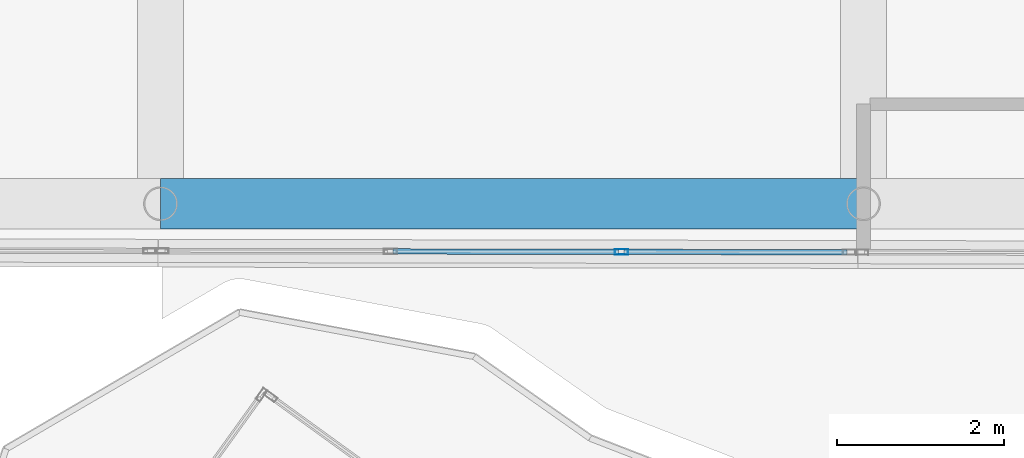
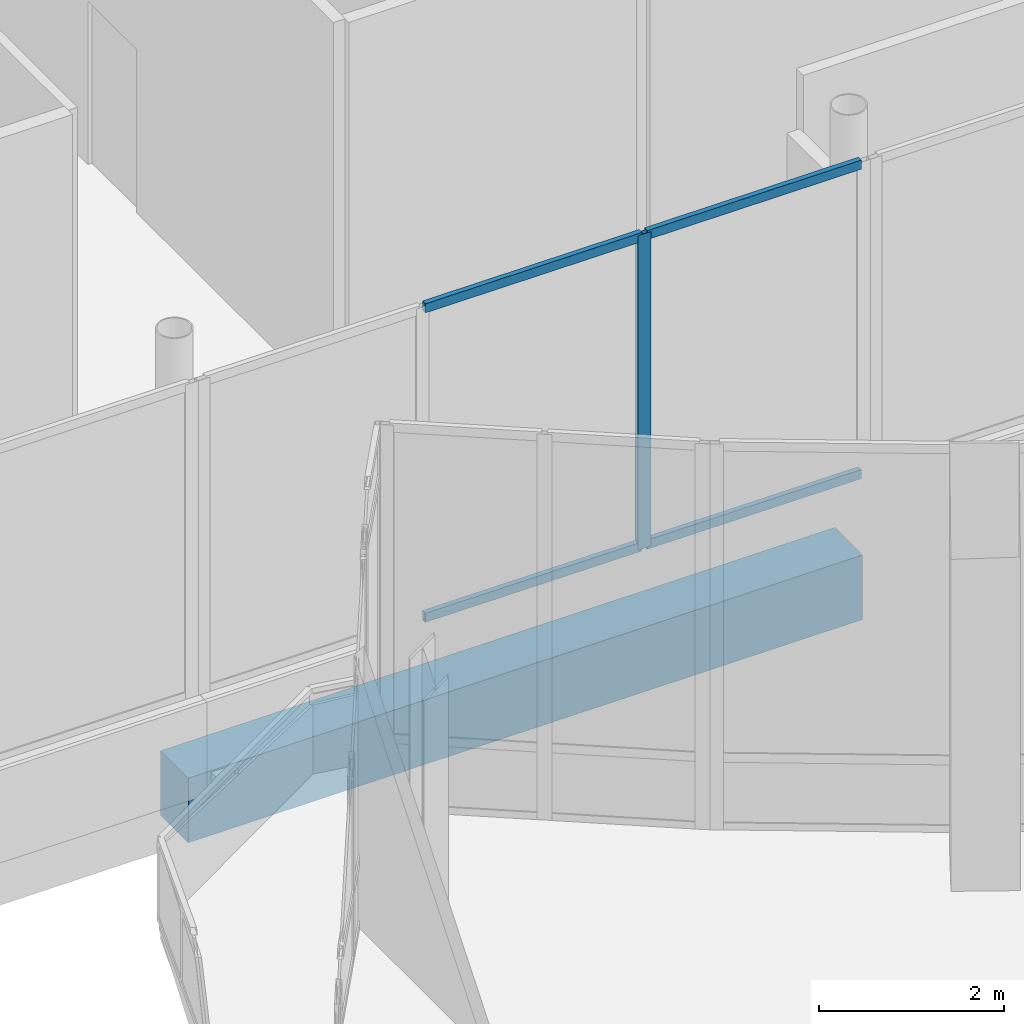
# One storey, part 32 of 158: 5 members, 1 beam, 1 element without a shape of its own.
"""IFC4 building model written with IfcOpenShell, lengths in metres."""

from ifc_helpers import new_model, si_unit, direction, frame, origin, origin_2d, place, context, subcontext, project, spatial, rectangle, hollow_rectangle, extrude, material, material_profile, profile_set, type_object, element, aggregate, save


model = new_model("IFC4")

# Units and contexts
model_context = context("Model", 3, precision=1e-05, world=origin(), true_north=direction((0.0, 1.0)))
body_context = subcontext(model_context, "Body", "Model", "MODEL_VIEW")
ifc_project = project(units=[si_unit("LENGTHUNIT", "METRE"), si_unit("AREAUNIT", "SQUARE_METRE"), si_unit("VOLUMEUNIT", "CUBIC_METRE"), si_unit("PLANEANGLEUNIT", "RADIAN"), si_unit("MASSUNIT", "GRAM", prefix="KILO")], contexts=[model_context])

# Site, building, storey
site_placement = place(None, origin())
site = spatial("IfcSite", under=ifc_project, at=site_placement, CompositionType="ELEMENT")
building_placement = place(site_placement, origin())
building = spatial("IfcBuilding", under=site, at=building_placement, Name="Selatvlak General Hospital", CompositionType="ELEMENT")
storey_placement = place(building_placement, origin())
storey = spatial("IfcBuildingStorey", under=building, at=storey_placement, Name="L00", CompositionType="ELEMENT", Elevation=0.0)

# Beam
ifc_material_1 = material(Name="Concrete C40/50", Category="concrete")
ifc_material_profile_1 = material_profile(ifc_material_1, rectangle(XDim=0.60009765625, YDim=0.85009765625, at=origin_2d()), Name="RC-BM 600x850")
ifc_profile_set_1 = profile_set([ifc_material_profile_1], Name="Concrete C40/50")
beam_type = type_object("IfcBeamType", Name="BM-G01", PredefinedType="BEAM", material=ifc_profile_set_1)
beam_placement = place(storey_placement, frame((31.199951171875, 52.550048828125, -0.77490234375), z_axis=(1.0, 0.0, 0.0), x_axis=(0.0, 1.0, 0.0)))
element("IfcBeam", 1, at=beam_placement, inside=storey, type_object=beam_type, Name="Beam BMR-L00-0004", PredefinedType="BEAM", context=body_context, shape_type="SweptSolid", body=[
    extrude(rectangle(XDim=0.60009765625, YDim=0.85009765625, at=origin_2d()), origin(), (0.0, 0.0, 1.0), 8.400146484375),
])

# Curtain wall, members
ifc_material_2 = material(Name="Solar-control Low-E double glazing", Category="glass")
curtain_wall_type = type_object("IfcCurtainWallType", Name="CW-CW-01", PredefinedType="USERDEFINED", material=ifc_material_2)
curtain_wall_placement = place(storey_placement, origin())
curtain_wall = element("IfcCurtainWall", 2, at=curtain_wall_placement, inside=storey, type_object=curtain_wall_type, Name="Glazed facade curtain wall CW-L00-0092", ObjectType="UNITISED CURTAIN WALL", PredefinedType="USERDEFINED")
ifc_material_3 = material(Name="Dark anodised aluminium mullion", Category="aluminium")
ifc_material_profile_2 = material_profile(ifc_material_3, hollow_rectangle(XDim=0.06494140625, YDim=0.159912109375, WallThickness=0.00390625, at=origin_2d()), Name="AL-MUL 65x160x4")
ifc_profile_set_2 = profile_set([ifc_material_profile_2], Name="Dark anodised aluminium mullion")
member_type_1 = type_object("IfcMemberType", Name="CWM-01", PredefinedType="MULLION", material=ifc_profile_set_2)
member_1_placement = place(storey_placement, frame((36.707275390625, 51.97509765625, 0.93994140625), z_axis=(0.0, 0.0, 1.0), x_axis=(-0.001811153756, -0.99999835986, 0.0)))
member_1 = element("IfcMember", 3, at=member_1_placement, type_object=member_type_1, Name="CW-01 mullion 2", PredefinedType="MULLION", context=body_context, shape_type="SweptSolid", body=[
    extrude(hollow_rectangle(XDim=0.06494140625, YDim=0.159912109375, WallThickness=0.00390625, at=origin_2d()), origin(), (0.0, 0.0, 1.0), 4.14013671875),
])
ifc_material_profile_3 = material_profile(ifc_material_3, hollow_rectangle(XDim=0.06494140625, YDim=0.1201171875, WallThickness=0.00390625, at=origin_2d()), Name="AL-TRN 65x120x4")
ifc_profile_set_3 = profile_set([ifc_material_profile_3], Name="Dark anodised aluminium mullion")
member_type_2 = type_object("IfcMemberType", Name="CWT-01", PredefinedType="USERDEFINED", material=ifc_profile_set_3)
member_2_placement = place(storey_placement, frame((39.403076171875, 51.97021484375, 0.972412109375), z_axis=(-0.999998483277, 0.001741678539, 0.0), x_axis=(-0.001741678539, -0.999998483277, 0.0)))
member_2 = element("IfcMember", 4, at=member_2_placement, type_object=member_type_2, Name="CW-01 transom 1.1", ObjectType="TRANSOM", PredefinedType="USERDEFINED", context=body_context, shape_type="SweptSolid", body=[
    extrude(hollow_rectangle(XDim=0.06494140625, YDim=0.1201171875, WallThickness=0.00390625, at=origin_2d()), origin(), (0.0, 0.0, 1.0), 2.663330078125),
])
member_3_placement = place(storey_placement, frame((39.403076171875, 51.97021484375, 5.047607421875), z_axis=(-0.999998483277, 0.001741678539, 0.0), x_axis=(-0.001741678539, -0.999998483277, 0.0)))
member_3 = element("IfcMember", 5, at=member_3_placement, type_object=member_type_2, Name="CW-01 transom 1.2", ObjectType="TRANSOM", PredefinedType="USERDEFINED", context=body_context, shape_type="SweptSolid", body=[
    extrude(hollow_rectangle(XDim=0.06494140625, YDim=0.1201171875, WallThickness=0.00390625, at=origin_2d()), origin(), (0.0, 0.0, 1.0), 2.663330078125),
])
member_4_placement = place(storey_placement, frame((36.6748046875, 51.97509765625, 0.972412109375), z_axis=(-0.999998359364, 0.001811427152, 0.0), x_axis=(-0.001811427152, -0.999998359364, 0.0)))
member_4 = element("IfcMember", 6, at=member_4_placement, type_object=member_type_2, Name="CW-01 transom 2.1", ObjectType="TRANSOM", PredefinedType="USERDEFINED", context=body_context, shape_type="SweptSolid", body=[
    extrude(hollow_rectangle(XDim=0.06494140625, YDim=0.1201171875, WallThickness=0.00390625, at=origin_2d()), origin(), (0.0, 0.0, 1.0), 2.695556640625),
])
member_5_placement = place(storey_placement, frame((36.6748046875, 51.97509765625, 5.047607421875), z_axis=(-0.999998359364, 0.001811427152, 0.0), x_axis=(-0.001811427152, -0.999998359364, 0.0)))
member_5 = element("IfcMember", 7, at=member_5_placement, type_object=member_type_2, Name="CW-01 transom 2.2", ObjectType="TRANSOM", PredefinedType="USERDEFINED", context=body_context, shape_type="SweptSolid", body=[
    extrude(hollow_rectangle(XDim=0.06494140625, YDim=0.1201171875, WallThickness=0.00390625, at=origin_2d()), origin(), (0.0, 0.0, 1.0), 2.695556640625),
])
aggregate(curtain_wall, [member_1, member_2, member_3, member_4, member_5])

save(model, "model.ifc")
